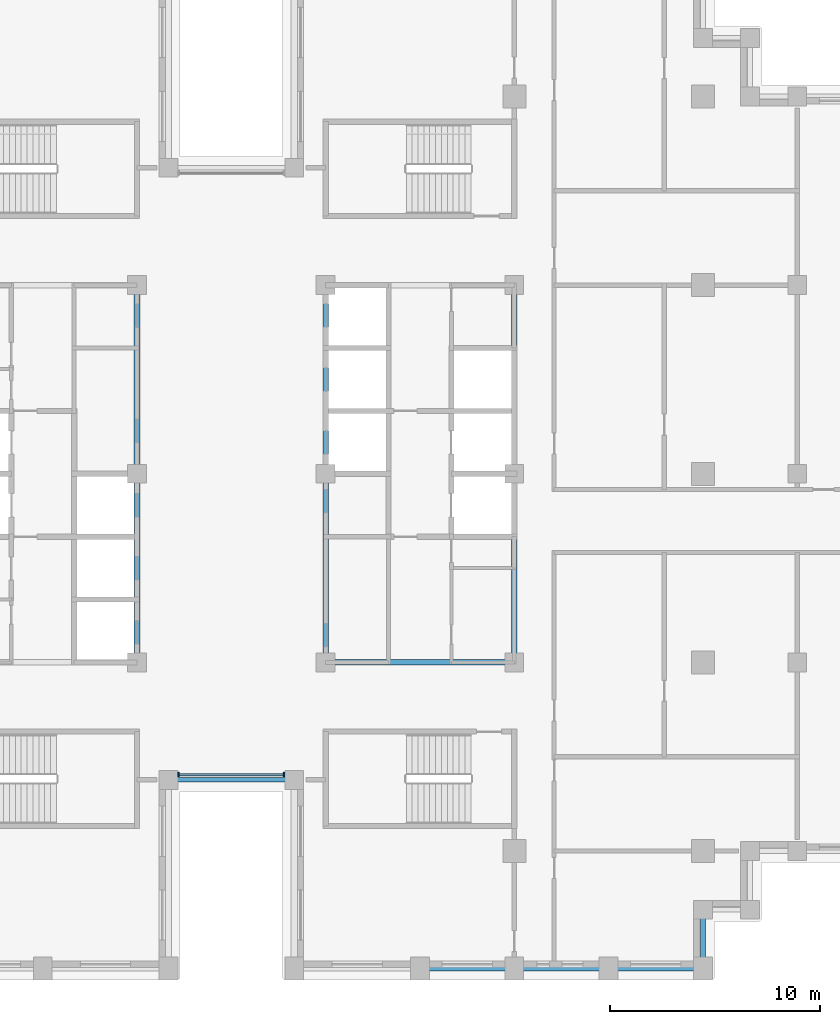
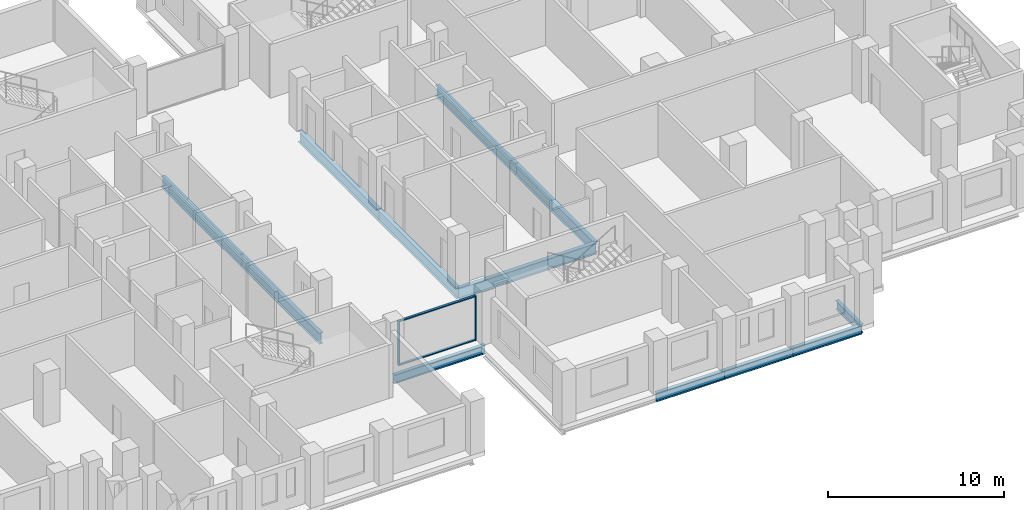
# One storey, part 2 of 15: 12 beams, 4 members, 1 element without a shape of its own.
"""IFC4 building model written with IfcOpenShell, lengths in metres."""

from ifc_helpers import new_model, si_unit, direction, frame, origin, origin_2d, place, context, subcontext, project, spatial, rectangle, i_section, extrude, material, layer, layer_set, material_profile, profile_set, type_object, element, aggregate, save


model = new_model("IFC4")

# Units and contexts
model_context = context("Model", 3, precision=1e-05, world=origin(), true_north=direction((0.0, 1.0)))
body_context = subcontext(model_context, "Body", "Model", "MODEL_VIEW")
ifc_project = project(units=[si_unit("LENGTHUNIT", "METRE"), si_unit("AREAUNIT", "SQUARE_METRE"), si_unit("VOLUMEUNIT", "CUBIC_METRE"), si_unit("PLANEANGLEUNIT", "RADIAN"), si_unit("MASSUNIT", "GRAM", prefix="KILO")], contexts=[model_context])

# Site, building, storey
site_placement = place(None, origin())
site = spatial("IfcSite", under=ifc_project, at=site_placement, CompositionType="ELEMENT")
building_placement = place(site_placement, origin())
building = spatial("IfcBuilding", under=site, at=building_placement, Name="Corbelhall Arena Tower", CompositionType="ELEMENT")
storey_placement = place(building_placement, frame((0.0, 0.0, 130.0)))
storey = spatial("IfcBuildingStorey", under=building, at=storey_placement, Name="L24", CompositionType="ELEMENT", Elevation=130.0)

# Curtain wall, members
ifc_material_1 = material(Name="Aluminium black anodised", Category="aluminium")
ifc_layer = layer(ifc_material_1, 0.199951171875)
ifc_layer_set = layer_set([ifc_layer], Name="EV-CW1 Slot back wall")
curtain_wall_type = type_object("IfcCurtainWallType", Name="EV-CW1 Slot back wall", PredefinedType="NOTDEFINED", material=ifc_layer_set)
curtain_wall_placement = place(storey_placement, origin())
curtain_wall = element("IfcCurtainWall", 1, at=curtain_wall_placement, inside=storey, type_object=curtain_wall_type, Name="Curtain wall CW1", PredefinedType="NOTDEFINED")
ifc_material_profile_1 = material_profile(ifc_material_1, rectangle(XDim=0.199951171875, YDim=0.074951171875, at=origin_2d()))
ifc_profile_set_1 = profile_set([ifc_material_profile_1], Name="Aluminium black anodised")
member_type_1 = type_object("IfcMemberType", Name="EV-CW1-MULLION", PredefinedType="MULLION", material=ifc_profile_set_1)
member_1_placement = place(storey_placement, frame((-2.512451171875, -14.35009765625, 0.0), z_axis=(0.0, 0.0, 1.0), x_axis=(0.0, 1.0, 0.0)))
member_1 = element("IfcMember", 2, at=member_1_placement, type_object=member_type_1, Name="CW1 mullion 1", PredefinedType="MULLION", context=body_context, shape_type="SweptSolid", body=[
    extrude(rectangle(XDim=0.199951171875, YDim=0.074951171875, at=origin_2d()), origin(), (0.0, 0.0, 1.0), 3.10009765625),
])
member_2_placement = place(storey_placement, frame((2.512451171875, -14.35009765625, 0.0), z_axis=(0.0, 0.0, 1.0), x_axis=(0.0, 1.0, 0.0)))
member_2 = element("IfcMember", 3, at=member_2_placement, type_object=member_type_1, Name="CW1 mullion 2", PredefinedType="MULLION", context=body_context, shape_type="SweptSolid", body=[
    extrude(rectangle(XDim=0.199951171875, YDim=0.074951171875, at=origin_2d()), origin(), (0.0, 0.0, 1.0), 3.10009765625),
])
ifc_material_profile_2 = material_profile(ifc_material_1, rectangle(XDim=0.14990234375, YDim=0.074951171875, at=origin_2d()))
ifc_profile_set_2 = profile_set([ifc_material_profile_2], Name="Aluminium black anodised")
member_type_2 = type_object("IfcMemberType", Name="EV-CW1-TRANSOM", PredefinedType="USERDEFINED", material=ifc_profile_set_2)
member_3_placement = place(storey_placement, frame((-2.47509765625, -14.35009765625, 0.03759765625), z_axis=(1.0, 0.0, 0.0), x_axis=(0.0, 1.0, 0.0)))
member_3 = element("IfcMember", 4, at=member_3_placement, type_object=member_type_2, Name="CW1 transom 1.1", ObjectType="transom", PredefinedType="USERDEFINED", context=body_context, shape_type="SweptSolid", body=[
    extrude(rectangle(XDim=0.14990234375, YDim=0.074951171875, at=origin_2d()), origin(), (0.0, 0.0, 1.0), 4.9501953125),
])
member_4_placement = place(storey_placement, frame((-2.47509765625, -14.35009765625, 3.0625), z_axis=(1.0, 0.0, 0.0), x_axis=(0.0, 1.0, 0.0)))
member_4 = element("IfcMember", 5, at=member_4_placement, type_object=member_type_2, Name="CW1 transom 1.2", ObjectType="transom", PredefinedType="USERDEFINED", context=body_context, shape_type="SweptSolid", body=[
    extrude(rectangle(XDim=0.14990234375, YDim=0.074951171875, at=origin_2d()), origin(), (0.0, 0.0, 1.0), 4.9501953125),
])
aggregate(curtain_wall, [member_1, member_2, member_3, member_4])

# Beams
ifc_material_2 = material(Name="Steel ASTM A992 Gr50", Category="steel")
ifc_material_profile_3 = material_profile(ifc_material_2, i_section(OverallWidth=0.2666015625, OverallDepth=0.761962890625, WebThickness=0.014404296875, FlangeThickness=0.021484375, at=origin_2d()))
ifc_profile_set_3 = profile_set([ifc_material_profile_3], Name="Steel ASTM A992 Gr50")
beam_type_1 = type_object("IfcBeamType", Name="ST-BEAM-W30x116", PredefinedType="BEAM", material=ifc_profile_set_3)
for number, where, z_axis, x_axis, name in (
    (6, (-4.5, -9.0, -0.680908203125), (0.0, 1.0, 0.0), (-1.0, 0.0, 0.0), "Beam CEW 3"),
    (7, (-4.5, 0.0, -0.680908203125), (0.0, 1.0, 0.0), (-1.0, 0.0, 0.0), "Beam CEW 4"),
    (8, (4.5, -9.0, -0.680908203125), (0.0, 1.0, 0.0), (-1.0, 0.0, 0.0), "Beam CEE 7"),
    (9, (4.5, 0.0, -0.680908203125), (0.0, 1.0, 0.0), (-1.0, 0.0, 0.0), "Beam CEE 8"),
    (10, (13.5, -9.0, -0.680908203125), (0.0, 1.0, 0.0), (-1.0, 0.0, 0.0), "Beam CEE 9"),
    (11, (13.5, 0.0, -0.680908203125), (0.0, 1.0, 0.0), (-1.0, 0.0, 0.0), "Beam CEE 10"),
    (12, (4.5, -9.0, -0.680908203125), (1.0, 0.0, 0.0), (0.0, 1.0, 0.0), "Beam CEE 11"),
):
    element("IfcBeam", number, at=place(storey_placement, frame(where, z_axis=z_axis, x_axis=x_axis)), inside=storey, type_object=beam_type_1, Name=name, PredefinedType="BEAM", context=body_context, shape_type="SweptSolid", body=[
        extrude(i_section(OverallWidth=0.2666015625, OverallDepth=0.761962890625, WebThickness=0.014404296875, FlangeThickness=0.021484375, at=origin_2d()), origin(), (0.0, 0.0, 1.0), 9.0),
    ])
ifc_material_profile_4 = material_profile(ifc_material_2, i_section(OverallWidth=0.22900390625, OverallDepth=0.612060546875, WebThickness=0.011962890625, FlangeThickness=0.01953125, at=origin_2d()))
ifc_profile_set_4 = profile_set([ifc_material_profile_4], Name="Steel ASTM A992 Gr50")
beam_type_2 = type_object("IfcBeamType", Name="ST-SPANDREL-W24x84", PredefinedType="SPANDREL", material=ifc_profile_set_4)
for number, where, z_axis, x_axis, name in (
    (13, (13.5, -23.60009765625, -0.60595703125), (-1.0, 0.0, 0.0), (0.0, -1.0, 0.0), "Beam SP 29"),
    (14, (18.0, -23.60009765625, -0.60595703125), (-1.0, 0.0, 0.0), (0.0, -1.0, 0.0), "Beam SP 30"),
    (15, (22.5, -23.60009765625, -0.60595703125), (-1.0, 0.0, 0.0), (0.0, -1.0, 0.0), "Beam SP 31"),
):
    element("IfcBeam", number, at=place(storey_placement, frame(where, z_axis=z_axis, x_axis=x_axis)), inside=storey, type_object=beam_type_2, Name=name, PredefinedType="SPANDREL", context=body_context, shape_type="SweptSolid", body=[
        extrude(i_section(OverallWidth=0.22900390625, OverallDepth=0.612060546875, WebThickness=0.011962890625, FlangeThickness=0.01953125, at=origin_2d()), origin(), (0.0, 0.0, 1.0), 4.5),
    ])
beam_1_placement = place(storey_placement, frame((3.0, -14.60009765625, -0.60595703125), z_axis=(-1.0, 0.0, 0.0), x_axis=(0.0, -1.0, 0.0)))
element("IfcBeam", 16, at=beam_1_placement, inside=storey, type_object=beam_type_2, Name="Beam SP 41", PredefinedType="SPANDREL", context=body_context, shape_type="SweptSolid", body=[
    extrude(i_section(OverallWidth=0.22900390625, OverallDepth=0.612060546875, WebThickness=0.011962890625, FlangeThickness=0.01953125, at=origin_2d()), origin(), (0.0, 0.0, 1.0), 6.0),
])
beam_2_placement = place(storey_placement, frame((22.5, -20.800048828125, -0.60595703125), z_axis=(0.0, -1.0, 0.0), x_axis=(1.0, 0.0, 0.0)))
element("IfcBeam", 17, at=beam_2_placement, inside=storey, type_object=beam_type_2, Name="Beam SP 49", PredefinedType="SPANDREL", context=body_context, shape_type="SweptSolid", body=[
    extrude(i_section(OverallWidth=0.22900390625, OverallDepth=0.612060546875, WebThickness=0.011962890625, FlangeThickness=0.01953125, at=origin_2d()), origin(), (0.0, 0.0, 1.0), 2.800048828125),
])

save(model, "model.ifc")
